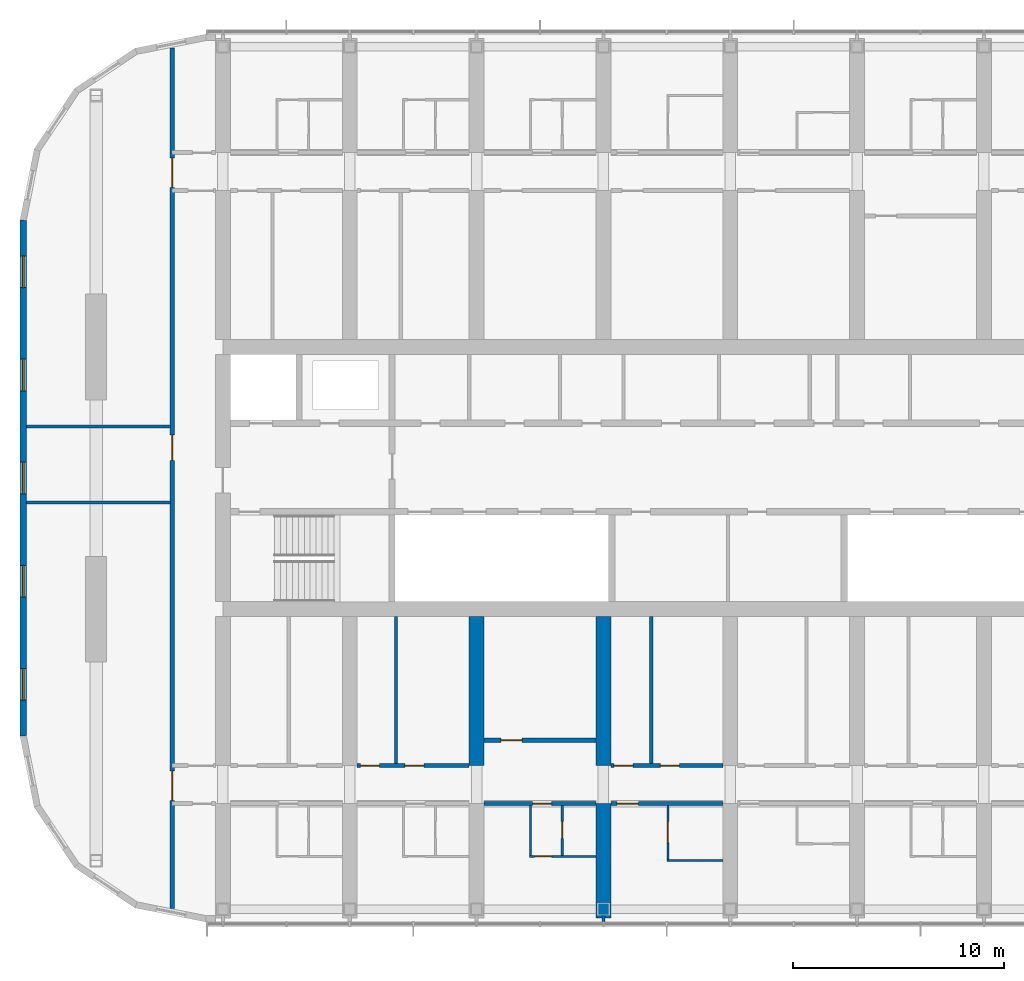
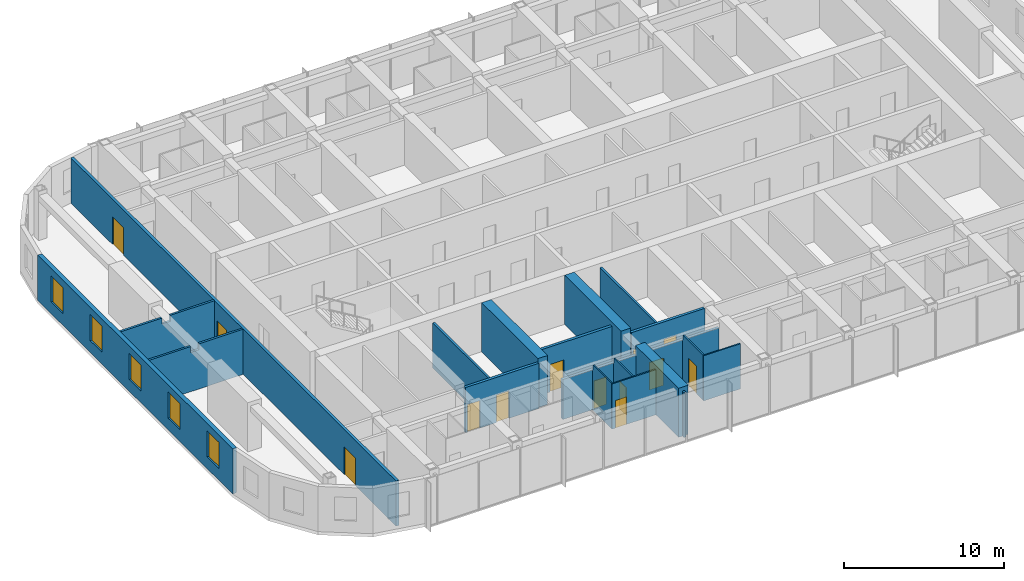
# One storey, part 11 of 23: 20 walls, 13 doors, 5 windows, 18 openings.
"""IFC4 building model written with IfcOpenShell, lengths in metres."""

import ifcopenshell
import ifcopenshell.guid

model = None  # the IFC model being written
_history = None  # IfcOwnerHistory: only IFC2X3 demands one
_inside = {}  # id of a spatial element -> (the spatial element, [elements in it])
_under = {}  # id of a project, library or spatial element -> (it, [spatial elements below it])
_declared = {}  # id of a project -> (the project, [libraries it declares])
_typed = {}  # id of a type object -> (the type object, [elements of that type])
_made_of = {}  # id of a material, layer set ... -> (it, [elements and type objects made of it])


def new_model(schema):
    """Start an empty IFC model of exactly this schema.

    Asked for "IFC4X3", IfcOpenShell would pick the latest addendum, in which some entities
    have other attributes; the version numbers below select the first issue.
    IFC2X3 requires an IfcOwnerHistory on every rooted entity: one is made here for all.
    """
    global model, _history
    if schema == "IFC4X3":
        model = ifcopenshell.file(schema_version=(4, 3, 0, 0))
    else:
        model = ifcopenshell.file(schema=schema)
    _inside.clear()
    _under.clear()
    _declared.clear()
    _typed.clear()
    _made_of.clear()
    _history = None
    if model.schema == "IFC2X3":
        org = make("IfcOrganization", Name="unknown")
        user = make(
            "IfcPersonAndOrganization",
            ThePerson=make("IfcPerson", FamilyName="unknown"),
            TheOrganization=org,
        )
        app = make(
            "IfcApplication",
            ApplicationDeveloper=org,
            Version="unknown",
            ApplicationFullName="unknown",
            ApplicationIdentifier="unknown",
        )
        _history = make(
            "IfcOwnerHistory",
            OwningUser=user,
            OwningApplication=app,
            ChangeAction="ADDED",
            CreationDate=0,
        )
    return model


def make(cls, **values):
    """One entity of the class cls with the attributes given. An attribute that is None is left unset."""
    return model.create_entity(
        cls, **{name: value for name, value in values.items() if value is not None}
    )


def rooted(cls, **values):
    """An entity with a GlobalId (a new one), such as an element, a storey or a relation."""
    return make(cls, GlobalId=ifcopenshell.guid.new(), OwnerHistory=_history, **values)


def si_unit(unit_type, name, prefix=None):
    """IfcSIUnit, for example si_unit("LENGTHUNIT", "METRE", prefix="MILLI")."""
    return make("IfcSIUnit", UnitType=unit_type, Prefix=prefix, Name=name)


def assignment(units):
    """IfcUnitAssignment: the units of a project."""
    return None if units is None else make("IfcUnitAssignment", Units=units)


def point(xyz):
    """IfcCartesianPoint."""
    return None if xyz is None else make("IfcCartesianPoint", Coordinates=xyz)


def direction(xyz):
    """IfcDirection."""
    return None if xyz is None else make("IfcDirection", DirectionRatios=xyz)


def frame(location, z_axis=None, x_axis=None):
    """IfcAxis2Placement3D, a coordinate frame: its origin and axes. An axis left out is left unset."""
    return make(
        "IfcAxis2Placement3D",
        Location=point(location),
        Axis=direction(z_axis),
        RefDirection=direction(x_axis),
    )


def frame_2d(location, x_axis=None):
    """IfcAxis2Placement2D, a coordinate frame in the plane: its origin and x axis."""
    return make(
        "IfcAxis2Placement2D", Location=point(location), RefDirection=direction(x_axis)
    )


def origin():
    """The frame at (0, 0, 0) with its axes left unset."""
    return frame((0.0, 0.0, 0.0))


def place(relative_to, where):
    """IfcLocalPlacement: puts the frame where relative to a parent placement (None: the world)."""
    return make(
        "IfcLocalPlacement", PlacementRelTo=relative_to, RelativePlacement=where
    )


def context(
    kind, dimensions, precision=None, world=None, true_north=None, identifier=None
):
    """IfcGeometricRepresentationContext, for example the 3D "Model" context."""
    return make(
        "IfcGeometricRepresentationContext",
        ContextIdentifier=identifier,
        ContextType=kind,
        CoordinateSpaceDimension=dimensions,
        Precision=precision,
        WorldCoordinateSystem=world,
        TrueNorth=true_north,
    )


def subcontext(parent, identifier, kind, view, scale=None):
    """IfcGeometricRepresentationSubContext, for example "Body" below "Model"."""
    return make(
        "IfcGeometricRepresentationSubContext",
        ContextIdentifier=identifier,
        ContextType=kind,
        ParentContext=parent,
        TargetScale=scale,
        TargetView=view,
    )


def project(units=None, contexts=None):
    """IfcProject with its units and contexts."""
    return rooted(
        "IfcProject",
        Name="project",
        RepresentationContexts=contexts,
        UnitsInContext=assignment(units),
    )


def spatial(cls, under=None, at=None, **own):
    """A site, building, storey or space (cls), placed at a placement, below another one or the project."""
    s = rooted(cls, ObjectPlacement=at, **own)
    if under is not None:
        _under.setdefault(under.id(), (under, []))[1].append(s)
    return s


def polyline(points):
    """IfcPolyline through the points."""
    return make("IfcPolyline", Points=[point(p) for p in points])


def profile(cls, at=None, kind="AREA", **sizes):
    """A parametric profile (cls). Its sizes go by their IFC names, for example OverallWidth=200.0."""
    return make(cls, ProfileType=kind, Position=at, **sizes)


def rectangle(**sizes):
    """IfcRectangleProfileDef."""
    return profile("IfcRectangleProfileDef", **sizes)


def outline(outer, holes=None, kind="AREA"):
    """IfcArbitraryClosedProfileDef: a profile drawn as a closed curve; with holes, ...WithVoids."""
    if holes is None:
        return make("IfcArbitraryClosedProfileDef", ProfileType=kind, OuterCurve=outer)
    return make(
        "IfcArbitraryProfileDefWithVoids",
        ProfileType=kind,
        OuterCurve=outer,
        InnerCurves=holes,
    )


def extrude(swept, where, along, depth):
    """IfcExtrudedAreaSolid: the profile swept, set in the frame where, extruded along a direction by depth."""
    return make(
        "IfcExtrudedAreaSolid",
        SweptArea=swept,
        Position=where,
        ExtrudedDirection=direction(along),
        Depth=depth,
    )


def shape(context_of_items, identifier, shape_type, items):
    """IfcShapeRepresentation: the items that make up one representation, for example the "Body"."""
    return make(
        "IfcShapeRepresentation",
        ContextOfItems=context_of_items,
        RepresentationIdentifier=identifier,
        RepresentationType=shape_type,
        Items=items,
    )


def material(Name=None, Category=None):
    """IfcMaterial."""
    return make("IfcMaterial", Name=Name, Category=Category)


def layer(
    of_material, thickness, ventilated=None, Name=None, Category=None, Priority=None
):
    """IfcMaterialLayer: one layer of a wall or slab, of a material (None: an air gap)."""
    return make(
        "IfcMaterialLayer",
        Material=of_material,
        LayerThickness=thickness,
        IsVentilated=ventilated,
        Name=Name,
        Category=Category,
        Priority=Priority,
    )


def layer_set(layers, Name=None):
    """IfcMaterialLayerSet."""
    return make("IfcMaterialLayerSet", MaterialLayers=layers, LayerSetName=Name)


def made_of(thing, what):
    """Note that an element or type object is made of a material, layer set ...; save() writes the relation."""
    if what is not None:
        _made_of.setdefault(what.id(), (what, []))[1].append(thing)
    return thing


def type_object(cls, material=None, **own):
    """A type object (cls), such as IfcWallType, which elements share."""
    return made_of(rooted(cls, **own), material)


def element(
    cls,
    number,
    at=None,
    inside=None,
    cuts=None,
    type_object=None,
    material=None,
    context=None,
    identifier="Body",
    shape_type=None,
    held_by="IfcProductDefinitionShape",
    body=None,
    shapes=None,
    **own,
):
    """One element of the class cls, such as IfcWall. Its Tag is "e" and its number.

    at: its placement. inside: the storey or other place that contains it. cuts: it is an
    opening in that element (IfcRelVoidsElement). A single representation is given by context,
    identifier, shape_type and body (its items); several are given by shapes. held_by: the class
    of the entity that holds the representations. save() writes the other relations.
    """
    e = rooted(cls, Tag="e%d" % number, ObjectPlacement=at, **own)
    if body is not None:
        shapes = [shape(context, identifier, shape_type, body)]
    if shapes is not None:
        e.Representation = make(held_by, Representations=shapes)
    if inside is not None:
        _inside.setdefault(inside.id(), (inside, []))[1].append(e)
    if cuts is not None:
        rooted(
            "IfcRelVoidsElement", RelatingBuildingElement=cuts, RelatedOpeningElement=e
        )
    if type_object is not None:
        _typed.setdefault(type_object.id(), (type_object, []))[1].append(e)
    return made_of(e, material)


def fill(opening, filler):
    """IfcRelFillsElement: the door or window that sits in an opening."""
    return rooted(
        "IfcRelFillsElement",
        RelatingOpeningElement=opening,
        RelatedBuildingElement=filler,
    )


def aggregate(whole, parts):
    """IfcRelAggregates: a whole, such as a stair, and the parts it consists of."""
    return rooted("IfcRelAggregates", RelatingObject=whole, RelatedObjects=parts)


def save(model, path):
    """Write the relations noted so far, then the file.

    IfcRelAggregates (storeys below a building ...), IfcRelContainedInSpatialStructure (elements
    in a storey), IfcRelDefinesByType, IfcRelAssociatesMaterial and IfcRelDeclares: one each for
    every whole, place, type object, material and project.
    """
    for whole, parts in _under.values():
        aggregate(whole, parts)
    for where, things in _inside.values():
        rooted(
            "IfcRelContainedInSpatialStructure",
            RelatedElements=things,
            RelatingStructure=where,
        )
    for kind, things in _typed.values():
        rooted("IfcRelDefinesByType", RelatedObjects=things, RelatingType=kind)
    for what, things in _made_of.values():
        rooted("IfcRelAssociatesMaterial", RelatedObjects=things, RelatingMaterial=what)
    for by, libraries in _declared.values():
        rooted("IfcRelDeclares", RelatingContext=by, RelatedDefinitions=libraries)
    model.write(path)


model = new_model("IFC4")

# Units and contexts
model_context = context("Model", 3, precision=1e-05, world=origin(), true_north=direction((0.0, 1.0)))
body_context = subcontext(model_context, "Body", "Model", "MODEL_VIEW")
ifc_project = project(units=[si_unit("LENGTHUNIT", "METRE"), si_unit("AREAUNIT", "SQUARE_METRE"), si_unit("VOLUMEUNIT", "CUBIC_METRE"), si_unit("PLANEANGLEUNIT", "RADIAN"), si_unit("MASSUNIT", "GRAM", prefix="KILO")], contexts=[model_context])

# Site, building, storey
site_placement = place(None, origin())
site = spatial("IfcSite", under=ifc_project, at=site_placement, CompositionType="ELEMENT")
building_placement = place(site_placement, origin())
building = spatial("IfcBuilding", under=site, at=building_placement, Name="Orbita Commons", CompositionType="ELEMENT")
storey_placement = place(building_placement, frame((0.0, 0.0, 254.050048828125)))
storey = spatial("IfcBuildingStorey", under=building, at=storey_placement, Name="L63", CompositionType="ELEMENT", Elevation=254.050048828125)

# Wall, opening, door
ifc_material_1 = material(Name="Concrete blockwork", Category="masonry")
ifc_layer_1 = layer(ifc_material_1, 0.199951171875)
ifc_layer_set_1 = layer_set([ifc_layer_1], Name="Concrete blockwork")
wall_type_1 = type_object("IfcWallType", Name="Corridor wall 200 blockwork", PredefinedType="SOLIDWALL", material=ifc_layer_set_1)
wall_1_placement = place(storey_placement, frame((30.35009765625, 16.60009765625, 0.0), z_axis=(0.0, 0.0, 1.0), x_axis=(1.0, 0.0, 0.0)))
wall_1 = element("IfcWall", 1, at=wall_1_placement, inside=storey, type_object=wall_type_1, Name="Corridor wall 200 blockwork L63", PredefinedType="SOLIDWALL", context=body_context, shape_type="SweptSolid", body=[
    extrude(outline(polyline([(0.0, 0.0), (5.2998046875, 0.0), (5.300048828125, 3.050048828125), (0.0, 3.050048828125), (0.0, 0.0)])), frame((0.0, 0.10009765625, 0.0), z_axis=(0.0, -1.0, 0.0), x_axis=(1.0, 0.0, 0.0)), (0.0, 0.0, 1.0), 0.199951171875),
])
opening_1_placement = place(wall_1_placement, frame((2.300048828125, 0.0, 0.0)))
opening_1 = element("IfcOpeningElement", 2, at=opening_1_placement, cuts=wall_1, Name="Opening D11", PredefinedType="OPENING", context=body_context, shape_type="SweptSolid", body=[
    extrude(rectangle(XDim=0.89990234375, YDim=2.10009765625, at=frame_2d((0.449951171875, 1.050048828125))), frame((0.0, 0.10986328125, 0.0), z_axis=(0.0, -1.0, 0.0), x_axis=(1.0, 0.0, 0.0)), (0.0, 0.0, 1.0), 0.219970703125),
])
ifc_material_2 = material(Name="Steel-faced fire door leaf", Category="steel")
door_type_1 = type_object("IfcDoorType", Name="Corridor door 20 min 900x2100", OperationType="SINGLE_SWING_LEFT", PredefinedType="DOOR", material=ifc_material_2)
door_1_placement = place(opening_1_placement, origin())
door_1 = element("IfcDoor", 3, at=door_1_placement, inside=storey, type_object=door_type_1, Name="Studio flat L63-S04 entrance door", OperationType="SINGLE_SWING_LEFT", OverallHeight=2.10009765625, OverallWidth=0.89990234375, PredefinedType="DOOR", context=body_context, shape_type="SweptSolid", body=[
    extrude(rectangle(XDim=0.89990234375, YDim=2.10009765625, at=frame_2d((0.449951171875, 1.050048828125))), frame((0.0, 0.02490234375, 0.0), z_axis=(0.0, -1.0, 0.0), x_axis=(1.0, 0.0, 0.0)), (0.0, 0.0, 1.0), 0.050048828125),
])
fill(opening_1, door_1)

wall_2_placement = place(storey_placement, frame((36.35009765625, 16.60009765625, 0.0), z_axis=(0.0, 0.0, 1.0), x_axis=(1.0, 0.0, 0.0)))
wall_2 = element("IfcWall", 4, at=wall_2_placement, inside=storey, type_object=wall_type_1, Name="Corridor wall 200 blockwork L63", PredefinedType="SOLIDWALL", context=body_context, shape_type="SweptSolid", body=[
    extrude(outline(polyline([(0.0, 0.0), (5.2998046875, 0.0), (5.300048828125, 3.050048828125), (0.0, 3.050048828125), (0.0, 0.0)])), frame((0.0, 0.10009765625, 0.0), z_axis=(0.0, -1.0, 0.0), x_axis=(1.0, 0.0, 0.0)), (0.0, 0.0, 1.0), 0.199951171875),
])
opening_2_placement = place(wall_2_placement, frame((0.300048828125, 0.0, 0.0)))
opening_2 = element("IfcOpeningElement", 5, at=opening_2_placement, cuts=wall_2, Name="Opening D06", PredefinedType="OPENING", context=body_context, shape_type="SweptSolid", body=[
    extrude(rectangle(XDim=1.0, YDim=2.10009765625, at=frame_2d((0.5, 1.050048828125))), frame((0.0, 0.10986328125, 0.0), z_axis=(0.0, -1.0, 0.0), x_axis=(1.0, 0.0, 0.0)), (0.0, 0.0, 1.0), 0.219970703125),
])
ifc_material_3 = material(Name="Steel-faced fire door leaf", Category="steel")
door_type_2 = type_object("IfcDoorType", Name="Corridor door 20 min 1000x2100", OperationType="SINGLE_SWING_LEFT", PredefinedType="DOOR", material=ifc_material_3)
door_2_placement = place(opening_2_placement, origin())
door_2 = element("IfcDoor", 6, at=door_2_placement, inside=storey, type_object=door_type_2, Name="Accessible bedroom L63-S06 door", OperationType="SINGLE_SWING_LEFT", OverallHeight=2.10009765625, OverallWidth=1.0, PredefinedType="DOOR", context=body_context, shape_type="SweptSolid", body=[
    extrude(rectangle(XDim=1.0, YDim=2.10009765625, at=frame_2d((0.5, 1.050048828125))), frame((0.0, 0.02490234375, 0.0), z_axis=(0.0, -1.0, 0.0), x_axis=(1.0, 0.0, 0.0)), (0.0, 0.0, 1.0), 0.050048828125),
])
fill(opening_2, door_2)

# Wall, openings, doors
wall_3_placement = place(storey_placement, frame((15.60009765625, 11.646240234375, 0.0), z_axis=(0.0, 0.0, 1.0), x_axis=(0.0, 1.0, 0.0)))
wall_3 = element("IfcWall", 7, at=wall_3_placement, inside=storey, type_object=wall_type_1, Name="Corridor wall 200 blockwork L63", PredefinedType="SOLIDWALL", context=body_context, shape_type="SweptSolid", body=[
    extrude(rectangle(XDim=40.70751953125, YDim=0.199951171875, at=frame_2d((20.353759765625, 0.0))), origin(), (0.0, 0.0, 1.0), 3.449951171875),
])
opening_3_placement = place(wall_3_placement, frame((21.19384765625, 0.0, 0.0)))
opening_3 = element("IfcOpeningElement", 8, at=opening_3_placement, cuts=wall_3, Name="Opening D15", PredefinedType="OPENING", context=body_context, shape_type="SweptSolid", body=[
    extrude(rectangle(XDim=1.199951171875, YDim=2.10009765625, at=frame_2d((0.60009765625, 1.050048828125))), frame((0.0, 0.10986328125, 0.0), z_axis=(0.0, -1.0, 0.0), x_axis=(1.0, 0.0, 0.0)), (0.0, 0.0, 1.0), 0.219970703125),
])
opening_4_placement = place(wall_3_placement, frame((5.103759765625, 0.0, 0.0)))
opening_4 = element("IfcOpeningElement", 9, at=opening_4_placement, cuts=wall_3, Name="Opening D08", PredefinedType="OPENING", context=body_context, shape_type="SweptSolid", body=[
    extrude(rectangle(XDim=1.39990234375, YDim=2.10009765625, at=frame_2d((0.699951171875, 1.050048828125))), frame((0.0, 0.10986328125, 0.0), z_axis=(0.0, -1.0, 0.0), x_axis=(1.0, 0.0, 0.0)), (0.0, 0.0, 1.0), 0.219970703125),
])
opening_5_placement = place(wall_3_placement, frame((34.103759765625, 0.0, 0.0)))
opening_5 = element("IfcOpeningElement", 10, at=opening_5_placement, cuts=wall_3, Name="Opening D08", PredefinedType="OPENING", context=body_context, shape_type="SweptSolid", body=[
    extrude(rectangle(XDim=1.39990234375, YDim=2.10009765625, at=frame_2d((0.699951171875, 1.050048828125))), frame((0.0, 0.10986328125, 0.0), z_axis=(0.0, -1.0, 0.0), x_axis=(1.0, 0.0, 0.0)), (0.0, 0.0, 1.0), 0.219970703125),
])
ifc_material_4 = material(Name="Steel-faced fire door leaf", Category="steel")
door_type_3 = type_object("IfcDoorType", Name="Corridor door 20 min 1200x2100", OperationType="SINGLE_SWING_LEFT", PredefinedType="DOOR", material=ifc_material_4)
door_3_placement = place(opening_3_placement, origin())
door_3 = element("IfcDoor", 11, at=door_3_placement, inside=storey, type_object=door_type_3, Name="Study commons door", OperationType="SINGLE_SWING_LEFT", OverallHeight=2.10009765625, OverallWidth=1.199951171875, PredefinedType="DOOR", context=body_context, shape_type="SweptSolid", body=[
    extrude(rectangle(XDim=1.199951171875, YDim=2.10009765625, at=frame_2d((0.60009765625, 1.050048828125))), frame((0.0, 0.02490234375, 0.0), z_axis=(0.0, -1.0, 0.0), x_axis=(1.0, 0.0, 0.0)), (0.0, 0.0, 1.0), 0.050048828125),
])
fill(opening_3, door_3)
ifc_material_5 = material(Name="Steel-faced fire door leaf", Category="steel")
door_type_4 = type_object("IfcDoorType", Name="Double corridor door 20 min 1400x2100", OperationType="DOUBLE_DOOR_SINGLE_SWING", PredefinedType="DOOR", material=ifc_material_5)
door_4_placement = place(opening_4_placement, origin())
door_4 = element("IfcDoor", 12, at=door_4_placement, inside=storey, type_object=door_type_4, Name="Lounge doors", OperationType="DOUBLE_DOOR_SINGLE_SWING", OverallHeight=2.10009765625, OverallWidth=1.39990234375, PredefinedType="DOOR", context=body_context, shape_type="SweptSolid", body=[
    extrude(rectangle(XDim=1.39990234375, YDim=2.10009765625, at=frame_2d((0.699951171875, 1.050048828125))), frame((0.0, 0.02490234375, 0.0), z_axis=(0.0, -1.0, 0.0), x_axis=(1.0, 0.0, 0.0)), (0.0, 0.0, 1.0), 0.050048828125),
])
fill(opening_4, door_4)
door_5_placement = place(opening_5_placement, origin())
door_5 = element("IfcDoor", 13, at=door_5_placement, inside=storey, type_object=door_type_4, Name="Lounge doors", OperationType="DOUBLE_DOOR_SINGLE_SWING", OverallHeight=2.10009765625, OverallWidth=1.39990234375, PredefinedType="DOOR", context=body_context, shape_type="SweptSolid", body=[
    extrude(rectangle(XDim=1.39990234375, YDim=2.10009765625, at=frame_2d((0.699951171875, 1.050048828125))), frame((0.0, 0.02490234375, 0.0), z_axis=(0.0, -1.0, 0.0), x_axis=(1.0, 0.0, 0.0)), (0.0, 0.0, 1.0), 0.050048828125),
])
fill(opening_5, door_5)

ifc_material_6 = material(Name="Hollow concrete block 200", Category="concrete")
ifc_layer_2 = layer(ifc_material_6, 0.199951171875)
ifc_layer_set_2 = layer_set([ifc_layer_2], Name="Hollow concrete block 200")
wall_type_2 = type_object("IfcWallType", Name="Corridor wall 200 hollow concrete block", PredefinedType="SOLIDWALL", material=ifc_layer_set_2)
wall_4_placement = place(storey_placement, frame((24.35009765625, 18.39990234375, 0.0), z_axis=(0.0, 0.0, 1.0), x_axis=(1.0, 0.0, 0.0)))
wall_4 = element("IfcWall", 14, at=wall_4_placement, inside=storey, type_object=wall_type_2, Name="Corridor wall 200 hollow concrete block L63", PredefinedType="SOLIDWALL", context=body_context, shape_type="SweptSolid", body=[
    extrude(rectangle(XDim=5.2998046875, YDim=0.199951171875, at=frame_2d((2.64990234375, 0.0))), origin(), (0.0, 0.0, 1.0), 3.449951171875),
])
opening_6_placement = place(wall_4_placement, frame((0.14990234375, 0.0, 0.0)))
opening_6 = element("IfcOpeningElement", 15, at=opening_6_placement, cuts=wall_4, Name="Opening D11", PredefinedType="OPENING", context=body_context, shape_type="SweptSolid", body=[
    extrude(rectangle(XDim=0.89990234375, YDim=2.10009765625, at=frame_2d((0.449951171875, 1.050048828125))), frame((0.0, 0.10986328125, 0.0), z_axis=(0.0, -1.0, 0.0), x_axis=(1.0, 0.0, 0.0)), (0.0, 0.0, 1.0), 0.219970703125),
])
opening_7_placement = place(wall_4_placement, frame((2.260009765625, 0.0, 0.0)))
opening_7 = element("IfcOpeningElement", 16, at=opening_7_placement, cuts=wall_4, Name="Opening D11", PredefinedType="OPENING", context=body_context, shape_type="SweptSolid", body=[
    extrude(rectangle(XDim=0.89990234375, YDim=2.10009765625, at=frame_2d((0.449951171875, 1.050048828125))), frame((0.0, 0.10986328125, 0.0), z_axis=(0.0, -1.0, 0.0), x_axis=(1.0, 0.0, 0.0)), (0.0, 0.0, 1.0), 0.219970703125),
])
door_6_placement = place(opening_6_placement, origin())
door_6 = element("IfcDoor", 17, at=door_6_placement, inside=storey, type_object=door_type_1, Name="Luggage store L63-BDS24n door", OperationType="SINGLE_SWING_LEFT", OverallHeight=2.10009765625, OverallWidth=0.89990234375, PredefinedType="DOOR", context=body_context, shape_type="SweptSolid", body=[
    extrude(rectangle(XDim=0.89990234375, YDim=2.10009765625, at=frame_2d((0.449951171875, 1.050048828125))), frame((0.0, 0.02490234375, 0.0), z_axis=(0.0, -1.0, 0.0), x_axis=(1.0, 0.0, 0.0)), (0.0, 0.0, 1.0), 0.050048828125),
])
fill(opening_6, door_6)
door_7_placement = place(opening_7_placement, origin())
door_7 = element("IfcDoor", 18, at=door_7_placement, inside=storey, type_object=door_type_1, Name="Board room L63-BDS24 door", OperationType="SINGLE_SWING_LEFT", OverallHeight=2.10009765625, OverallWidth=0.89990234375, PredefinedType="DOOR", context=body_context, shape_type="SweptSolid", body=[
    extrude(rectangle(XDim=0.89990234375, YDim=2.10009765625, at=frame_2d((0.449951171875, 1.050048828125))), frame((0.0, 0.02490234375, 0.0), z_axis=(0.0, -1.0, 0.0), x_axis=(1.0, 0.0, 0.0)), (0.0, 0.0, 1.0), 0.050048828125),
])
fill(opening_7, door_7)

wall_5_placement = place(storey_placement, frame((36.35009765625, 18.39990234375, 0.0), z_axis=(0.0, 0.0, 1.0), x_axis=(1.0, 0.0, 0.0)))
wall_5 = element("IfcWall", 19, at=wall_5_placement, inside=storey, type_object=wall_type_2, Name="Corridor wall 200 hollow concrete block L63", PredefinedType="SOLIDWALL", context=body_context, shape_type="SweptSolid", body=[
    extrude(rectangle(XDim=5.2998046875, YDim=0.199951171875, at=frame_2d((2.64990234375, 0.0))), origin(), (0.0, 0.0, 1.0), 3.449951171875),
])
opening_8_placement = place(wall_5_placement, frame((0.14990234375, 0.0, 0.0)))
opening_8 = element("IfcOpeningElement", 20, at=opening_8_placement, cuts=wall_5, Name="Opening D11", PredefinedType="OPENING", context=body_context, shape_type="SweptSolid", body=[
    extrude(rectangle(XDim=0.89990234375, YDim=2.10009765625, at=frame_2d((0.449951171875, 1.050048828125))), frame((0.0, 0.10986328125, 0.0), z_axis=(0.0, -1.0, 0.0), x_axis=(1.0, 0.0, 0.0)), (0.0, 0.0, 1.0), 0.219970703125),
])
opening_9_placement = place(wall_5_placement, frame((2.340087890625, 0.0, 0.0)))
opening_9 = element("IfcOpeningElement", 21, at=opening_9_placement, cuts=wall_5, Name="Opening D11", PredefinedType="OPENING", context=body_context, shape_type="SweptSolid", body=[
    extrude(rectangle(XDim=0.89990234375, YDim=2.10009765625, at=frame_2d((0.449951171875, 1.050048828125))), frame((0.0, 0.10986328125, 0.0), z_axis=(0.0, -1.0, 0.0), x_axis=(1.0, 0.0, 0.0)), (0.0, 0.0, 1.0), 0.219970703125),
])
door_8_placement = place(opening_8_placement, origin())
door_8 = element("IfcDoor", 22, at=door_8_placement, inside=storey, type_object=door_type_1, Name="Battery and UPS room L63-BDS36n door", OperationType="SINGLE_SWING_LEFT", OverallHeight=2.10009765625, OverallWidth=0.89990234375, PredefinedType="DOOR", context=body_context, shape_type="SweptSolid", body=[
    extrude(rectangle(XDim=0.89990234375, YDim=2.10009765625, at=frame_2d((0.449951171875, 1.050048828125))), frame((0.0, 0.02490234375, 0.0), z_axis=(0.0, -1.0, 0.0), x_axis=(1.0, 0.0, 0.0)), (0.0, 0.0, 1.0), 0.050048828125),
])
fill(opening_8, door_8)
door_9_placement = place(opening_9_placement, origin())
door_9 = element("IfcDoor", 23, at=door_9_placement, inside=storey, type_object=door_type_1, Name="Interview room L63-BDS36 door", OperationType="SINGLE_SWING_LEFT", OverallHeight=2.10009765625, OverallWidth=0.89990234375, PredefinedType="DOOR", context=body_context, shape_type="SweptSolid", body=[
    extrude(rectangle(XDim=0.89990234375, YDim=2.10009765625, at=frame_2d((0.449951171875, 1.050048828125))), frame((0.0, 0.02490234375, 0.0), z_axis=(0.0, -1.0, 0.0), x_axis=(1.0, 0.0, 0.0)), (0.0, 0.0, 1.0), 0.050048828125),
])
fill(opening_9, door_9)

# Wall, opening, door
wall_6_placement = place(storey_placement, frame((30.35009765625, 19.60009765625, 0.0), z_axis=(0.0, 0.0, 1.0), x_axis=(1.0, 0.0, 0.0)))
wall_6 = element("IfcWall", 24, at=wall_6_placement, inside=storey, type_object=wall_type_2, Name="Corridor wall 200 hollow concrete block L63", PredefinedType="SOLIDWALL", context=body_context, shape_type="SweptSolid", body=[
    extrude(rectangle(XDim=5.2998046875, YDim=0.199951171875, at=frame_2d((2.64990234375, 0.0))), origin(), (0.0, 0.0, 1.0), 3.449951171875),
])
opening_10_placement = place(wall_6_placement, frame((0.800048828125, 0.0, 0.0)))
opening_10 = element("IfcOpeningElement", 25, at=opening_10_placement, cuts=wall_6, Name="Opening D06", PredefinedType="OPENING", context=body_context, shape_type="SweptSolid", body=[
    extrude(rectangle(XDim=1.0, YDim=2.10009765625, at=frame_2d((0.5, 1.050048828125))), frame((0.0, 0.10986328125, 0.0), z_axis=(0.0, -1.0, 0.0), x_axis=(1.0, 0.0, 0.0)), (0.0, 0.0, 1.0), 0.219970703125),
])
door_10_placement = place(opening_10_placement, origin())
door_10 = element("IfcDoor", 26, at=door_10_placement, inside=storey, type_object=door_type_2, Name="Bulk storage room L63-BDS30 door", OperationType="SINGLE_SWING_LEFT", OverallHeight=2.10009765625, OverallWidth=1.0, PredefinedType="DOOR", context=body_context, shape_type="SweptSolid", body=[
    extrude(rectangle(XDim=1.0, YDim=2.10009765625, at=frame_2d((0.5, 1.050048828125))), frame((0.0, 0.02490234375, 0.0), z_axis=(0.0, -1.0, 0.0), x_axis=(1.0, 0.0, 0.0)), (0.0, 0.0, 1.0), 0.050048828125),
])
fill(opening_10, door_10)

# Walls
ifc_material_7 = material(Name="Concrete C50/60", Category="concrete")
ifc_layer_3 = layer(ifc_material_7, 0.699951171875)
ifc_layer_set_3 = layer_set([ifc_layer_3], Name="Concrete C50/60")
wall_type_3 = type_object("IfcWallType", Name="Cross wall 700 C50/60", PredefinedType="SHEAR", material=ifc_layer_set_3)
wall_7_placement = place(storey_placement, frame((30.0, 18.39990234375, 0.0), z_axis=(0.0, 0.0, 1.0), x_axis=(0.0, 1.0, 0.0)))
element("IfcWall", 27, at=wall_7_placement, inside=storey, type_object=wall_type_3, Name="Cross wall 6 south inner L63", PredefinedType="SHEAR", context=body_context, shape_type="SweptSolid", body=[
    extrude(rectangle(XDim=7.050048828125, YDim=0.699951171875, at=frame_2d((3.52490234375, 0.0))), origin(), (0.0, 0.0, 1.0), 3.75),
])
wall_8_placement = place(storey_placement, frame((36.0, 11.199951171875, 0.0), z_axis=(0.0, 0.0, 1.0), x_axis=(0.0, 1.0, 0.0)))
element("IfcWall", 28, at=wall_8_placement, inside=storey, type_object=wall_type_3, Name="Cross wall 7 south outer L63", PredefinedType="SHEAR", context=body_context, shape_type="SweptSolid", body=[
    extrude(rectangle(XDim=5.400146484375, YDim=0.699951171875, at=frame_2d((2.7001953125, 0.0))), origin(), (0.0, 0.0, 1.0), 3.75),
])
wall_9_placement = place(storey_placement, frame((36.0, 18.39990234375, 0.0), z_axis=(0.0, 0.0, 1.0), x_axis=(0.0, 1.0, 0.0)))
element("IfcWall", 29, at=wall_9_placement, inside=storey, type_object=wall_type_3, Name="Cross wall 7 south inner L63", PredefinedType="SHEAR", context=body_context, shape_type="SweptSolid", body=[
    extrude(rectangle(XDim=7.050048828125, YDim=0.699951171875, at=frame_2d((3.52490234375, 0.0))), origin(), (0.0, 0.0, 1.0), 3.75),
])

# Wall, opening, door
ifc_material_8 = material(Name="Moisture-resistant plasterboard on steel studs", Category="steel")
ifc_layer_4 = layer(ifc_material_8, 0.10009765625)
ifc_layer_set_4 = layer_set([ifc_layer_4], Name="Moisture-resistant plasterboard on steel studs")
wall_type_4 = type_object("IfcWallType", Name="En-suite partition 100", PredefinedType="PARTITIONING", material=ifc_layer_set_4)
wall_10_placement = place(storey_placement, frame((35.64990234375, 14.10009765625, 0.0), z_axis=(0.0, 0.0, 1.0), x_axis=(-1.0, 0.0, 0.0)))
wall_10 = element("IfcWall", 30, at=wall_10_placement, inside=storey, type_object=wall_type_4, Name="En-suite partition 100 L63", PredefinedType="PARTITIONING", context=body_context, shape_type="SweptSolid", body=[
    extrude(rectangle(XDim=3.14990234375, YDim=0.10009765625, at=frame_2d((1.574951171875, 0.0))), origin(), (0.0, 0.0, 1.0), 3.449951171875),
])
opening_11_placement = place(wall_10_placement, frame((2.10009765625, 0.0, 0.0)))
opening_11 = element("IfcOpeningElement", 31, at=opening_11_placement, cuts=wall_10, Name="Opening D16", PredefinedType="OPENING", context=body_context, shape_type="SweptSolid", body=[
    extrude(rectangle(XDim=0.800048828125, YDim=2.10009765625, at=frame_2d((0.39990234375, 1.050048828125))), frame((0.0, 0.06005859375, 0.0), z_axis=(0.0, -1.0, 0.0), x_axis=(1.0, 0.0, 0.0)), (0.0, 0.0, 1.0), 0.1201171875),
])
ifc_material_9 = material(Name="Laminated timber door leaf", Category="wood")
door_type_5 = type_object("IfcDoorType", Name="En-suite door 800x2100", OperationType="SINGLE_SWING_RIGHT", PredefinedType="DOOR", material=ifc_material_9)
door_11_placement = place(opening_11_placement, origin())
door_11 = element("IfcDoor", 32, at=door_11_placement, inside=storey, type_object=door_type_5, Name="Studio flat L63-S04 door", OperationType="SINGLE_SWING_RIGHT", OverallHeight=2.10009765625, OverallWidth=0.800048828125, PredefinedType="DOOR", context=body_context, shape_type="SweptSolid", body=[
    extrude(rectangle(XDim=0.800048828125, YDim=2.10009765625, at=frame_2d((0.39990234375, 1.050048828125))), frame((0.0, 0.02490234375, 0.0), z_axis=(0.0, -1.0, 0.0), x_axis=(1.0, 0.0, 0.0)), (0.0, 0.0, 1.0), 0.050048828125),
])
fill(opening_11, door_11)

# Wall
wall_11_placement = place(storey_placement, frame((32.550048828125, 14.14990234375, 0.0), z_axis=(0.0, 0.0, 1.0), x_axis=(0.0, 1.0, 0.0)))
element("IfcWall", 33, at=wall_11_placement, inside=storey, type_object=wall_type_4, Name="En-suite partition 100 L63", PredefinedType="PARTITIONING", context=body_context, shape_type="SweptSolid", body=[
    extrude(outline(polyline([(0.0, 0.0), (2.35009765625, 0.0), (2.35009765625, 3.050048828125), (2.302001953125, 3.050048828125), (2.300048828125, 3.449951171875), (0.0, 3.449951171875), (0.0, 0.0)])), frame((0.0, 0.050048828125, 0.0), z_axis=(0.0, -1.0, 0.0), x_axis=(1.0, 0.0, 0.0)), (0.0, 0.0, 1.0), 0.10009765625),
])

# Wall, opening, door
wall_12_placement = place(storey_placement, frame((34.050048828125, 14.14990234375, 0.0), z_axis=(0.0, 0.0, 1.0), x_axis=(0.0, 1.0, 0.0)))
wall_12 = element("IfcWall", 34, at=wall_12_placement, inside=storey, type_object=wall_type_4, Name="En-suite partition 100 L63", PredefinedType="PARTITIONING", context=body_context, shape_type="SweptSolid", body=[
    extrude(outline(polyline([(0.0, 0.0), (2.35009765625, 0.0), (2.35009765625, 3.050048828125), (2.302001953125, 3.050048828125), (2.300048828125, 3.449951171875), (0.0, 3.449951171875), (0.0, 0.0)])), frame((0.0, 0.050048828125, 0.0), z_axis=(0.0, -1.0, 0.0), x_axis=(1.0, 0.0, 0.0)), (0.0, 0.0, 1.0), 0.10009765625),
])
opening_12_placement = place(wall_12_placement, frame((0.800048828125, 0.0, 0.0)))
opening_12 = element("IfcOpeningElement", 35, at=opening_12_placement, cuts=wall_12, Name="Opening D16", PredefinedType="OPENING", context=body_context, shape_type="SweptSolid", body=[
    extrude(rectangle(XDim=0.800048828125, YDim=2.10009765625, at=frame_2d((0.39990234375, 1.050048828125))), frame((0.0, 0.06005859375, 0.0), z_axis=(0.0, -1.0, 0.0), x_axis=(1.0, 0.0, 0.0)), (0.0, 0.0, 1.0), 0.1201171875),
])
door_12_placement = place(opening_12_placement, origin())
door_12 = element("IfcDoor", 36, at=door_12_placement, inside=storey, type_object=door_type_5, Name="Studio flat shower room L63-S04 door", OperationType="SINGLE_SWING_RIGHT", OverallHeight=2.10009765625, OverallWidth=0.800048828125, PredefinedType="DOOR", context=body_context, shape_type="SweptSolid", body=[
    extrude(rectangle(XDim=0.800048828125, YDim=2.10009765625, at=frame_2d((0.39990234375, 1.050048828125))), frame((0.0, 0.02490234375, 0.0), z_axis=(0.0, -1.0, 0.0), x_axis=(1.0, 0.0, 0.0)), (0.0, 0.0, 1.0), 0.050048828125),
])
fill(opening_12, door_12)

# Wall
wall_13_placement = place(storey_placement, frame((39.0, 13.89990234375, 0.0), z_axis=(0.0, 0.0, 1.0), x_axis=(1.0, 0.0, 0.0)))
element("IfcWall", 37, at=wall_13_placement, inside=storey, type_object=wall_type_4, Name="En-suite partition 100 L63", PredefinedType="PARTITIONING", context=body_context, shape_type="SweptSolid", body=[
    extrude(rectangle(XDim=2.64990234375, YDim=0.10009765625, at=frame_2d((1.324951171875, 0.0))), origin(), (0.0, 0.0, 1.0), 3.449951171875),
])

# Wall, opening, door
wall_14_placement = place(storey_placement, frame((39.050048828125, 13.949951171875, 0.0), z_axis=(0.0, 0.0, 1.0), x_axis=(0.0, 1.0, 0.0)))
wall_14 = element("IfcWall", 38, at=wall_14_placement, inside=storey, type_object=wall_type_4, Name="En-suite partition 100 L63", PredefinedType="PARTITIONING", context=body_context, shape_type="SweptSolid", body=[
    extrude(outline(polyline([(0.0, 0.0), (2.550048828125, 0.0), (2.550048828125, 3.050048828125), (2.501953125, 3.050048828125), (2.5, 3.449951171875), (0.0, 3.449951171875), (0.0, 0.0)])), frame((0.0, 0.050048828125, 0.0), z_axis=(0.0, -1.0, 0.0), x_axis=(1.0, 0.0, 0.0)), (0.0, 0.0, 1.0), 0.10009765625),
])
opening_13_placement = place(wall_14_placement, frame((0.800048828125, 0.0, 0.0)))
opening_13 = element("IfcOpeningElement", 39, at=opening_13_placement, cuts=wall_14, Name="Opening D13", PredefinedType="OPENING", context=body_context, shape_type="SweptSolid", body=[
    extrude(rectangle(XDim=1.0, YDim=2.10009765625, at=frame_2d((0.5, 1.050048828125))), frame((0.0, 0.06005859375, 0.0), z_axis=(0.0, -1.0, 0.0), x_axis=(1.0, 0.0, 0.0)), (0.0, 0.0, 1.0), 0.1201171875),
])
ifc_material_10 = material(Name="Laminated timber door leaf", Category="wood")
door_type_6 = type_object("IfcDoorType", Name="En-suite door 1000x2100", OperationType="SINGLE_SWING_RIGHT", PredefinedType="DOOR", material=ifc_material_10)
door_13_placement = place(opening_13_placement, origin())
door_13 = element("IfcDoor", 40, at=door_13_placement, inside=storey, type_object=door_type_6, Name="Accessible shower room L63-S06 door", OperationType="SINGLE_SWING_RIGHT", OverallHeight=2.10009765625, OverallWidth=1.0, PredefinedType="DOOR", context=body_context, shape_type="SweptSolid", body=[
    extrude(rectangle(XDim=1.0, YDim=2.10009765625, at=frame_2d((0.5, 1.050048828125))), frame((0.0, 0.02490234375, 0.0), z_axis=(0.0, -1.0, 0.0), x_axis=(1.0, 0.0, 0.0)), (0.0, 0.0, 1.0), 0.050048828125),
])
fill(opening_13, door_13)

# Walls
ifc_material_11 = material(Name="Gypsum plasterboard on steel studs", Category="steel")
ifc_layer_5 = layer(ifc_material_11, 0.14990234375)
ifc_layer_set_5 = layer_set([ifc_layer_5], Name="Gypsum plasterboard on steel studs")
wall_type_5 = type_object("IfcWallType", Name="Partition 150 plasterboard", PredefinedType="PARTITIONING", material=ifc_layer_set_5)
for number, where, z_axis, x_axis, name in (
    (41, (26.18505859375, 18.5, 0.0), (0.0, 0.0, 1.0), (0.0, 1.0, 0.0), "Partition 150 plasterboard L63"),
    (42, (38.264892578125, 18.5, 0.0), (0.0, 0.0, 1.0), (0.0, 1.0, 0.0), "Partition 150 plasterboard L63"),
):
    element("IfcWall", number, at=place(storey_placement, frame(where, z_axis=z_axis, x_axis=x_axis)), inside=storey, type_object=wall_type_5, Name=name, PredefinedType="PARTITIONING", context=body_context, shape_type="SweptSolid", body=[
        extrude(rectangle(XDim=6.949951171875, YDim=0.14990234375, at=frame_2d((3.47509765625, 0.0))), origin(), (0.0, 0.0, 1.0), 3.449951171875),
    ])
for number, where, z_axis, x_axis, name in (
    (43, (8.705078125, 30.85009765625, 0.0), (0.0, 0.0, 1.0), (1.0, 0.0, 0.0), "Partition 150 plasterboard L63"),
    (44, (8.705078125, 34.43994140625, 0.0), (0.0, 0.0, 1.0), (1.0, 0.0, 0.0), "Partition 150 plasterboard L63"),
):
    element("IfcWall", number, at=place(storey_placement, frame(where, z_axis=z_axis, x_axis=x_axis)), inside=storey, type_object=wall_type_5, Name=name, PredefinedType="PARTITIONING", context=body_context, shape_type="SweptSolid", body=[
        extrude(outline(polyline([(0.0, 0.0), (6.81982421875, 0.0), (6.820068359375, 3.449951171875), (3.596923828125, 3.449951171875), (3.594970703125, 3.0), (2.9970703125, 3.0), (2.9951171875, 3.449951171875), (0.0, 3.449951171875), (0.0, 0.0)])), frame((0.0, 0.074951171875, 0.0), z_axis=(0.0, -1.0, 0.0), x_axis=(1.0, 0.0, 0.0)), (0.0, 0.0, 1.0), 0.14990234375),
    ])
wall_15_placement = place(storey_placement, frame((36.0, 11.300048828125, 0.0), z_axis=(0.0, 0.0, 1.0), x_axis=(0.0, -1.0, 0.0)))
element("IfcWall", 45, at=wall_15_placement, inside=storey, type_object=wall_type_5, Name="Partition 150 plasterboard L63", PredefinedType="PARTITIONING", context=body_context, shape_type="SweptSolid", body=[
    extrude(rectangle(XDim=0.2900390625, YDim=0.14990234375, at=frame_2d((0.14501953125, 0.0))), origin(), (0.0, 0.0, 1.0), 3.449951171875),
])

# Wall, openings, windows
ifc_material_12 = material(Name="Precast concrete C40/50, white board-marked finish", Category="concrete")
ifc_layer_6 = layer(ifc_material_12, 0.300048828125)
ifc_layer_set_6 = layer_set([ifc_layer_6], Name="Precast concrete C40/50, white board-marked finish")
wall_type_6 = type_object("IfcWallType", Name="Precast concrete end shield 300", PredefinedType="SOLIDWALL", material=ifc_layer_set_6)
wall_16_placement = place(storey_placement, frame((8.550048828125, 44.199951171875, 0.0), z_axis=(0.0, 0.0, 1.0), x_axis=(0.0, -1.0, 0.0)))
wall_16 = element("IfcWall", 46, at=wall_16_placement, inside=storey, type_object=wall_type_6, Name="End shield W L63", PredefinedType="SOLIDWALL", context=body_context, shape_type="SweptSolid", body=[
    extrude(outline(polyline([(-0.014892578125, -0.14990234375), (24.414794921875, -0.14990234375), (24.385009765625, 0.14990234375), (0.014892578125, 0.14990234375), (-0.014892578125, -0.14990234375)])), origin(), (0.0, 0.0, 1.0), 3.449951171875),
])
opening_14_placement = place(wall_16_placement, frame((1.68994140625, 0.0, 0.89990234375)))
opening_14 = element("IfcOpeningElement", 47, at=opening_14_placement, cuts=wall_16, Name="Opening W01", PredefinedType="OPENING", context=body_context, shape_type="SweptSolid", body=[
    extrude(rectangle(XDim=1.5, YDim=2.0, at=frame_2d((0.75, 1.0))), frame((0.0, 0.159912109375, 0.0), z_axis=(0.0, -1.0, 0.0), x_axis=(1.0, 0.0, 0.0)), (0.0, 0.0, 1.0), 0.320068359375),
])
opening_15_placement = place(wall_16_placement, frame((6.570068359375, 0.0, 0.89990234375)))
opening_15 = element("IfcOpeningElement", 48, at=opening_15_placement, cuts=wall_16, Name="Opening W01", PredefinedType="OPENING", context=body_context, shape_type="SweptSolid", body=[
    extrude(rectangle(XDim=1.5, YDim=2.0, at=frame_2d((0.75, 1.0))), frame((0.0, 0.159912109375, 0.0), z_axis=(0.0, -1.0, 0.0), x_axis=(1.0, 0.0, 0.0)), (0.0, 0.0, 1.0), 0.320068359375),
])
opening_16_placement = place(wall_16_placement, frame((11.449951171875, 0.0, 0.89990234375)))
opening_16 = element("IfcOpeningElement", 49, at=opening_16_placement, cuts=wall_16, Name="Opening W01", PredefinedType="OPENING", context=body_context, shape_type="SweptSolid", body=[
    extrude(rectangle(XDim=1.5, YDim=2.0, at=frame_2d((0.75, 1.0))), frame((0.0, 0.159912109375, 0.0), z_axis=(0.0, -1.0, 0.0), x_axis=(1.0, 0.0, 0.0)), (0.0, 0.0, 1.0), 0.320068359375),
])
opening_17_placement = place(wall_16_placement, frame((16.330078125, 0.0, 0.89990234375)))
opening_17 = element("IfcOpeningElement", 50, at=opening_17_placement, cuts=wall_16, Name="Opening W01", PredefinedType="OPENING", context=body_context, shape_type="SweptSolid", body=[
    extrude(rectangle(XDim=1.5, YDim=2.0, at=frame_2d((0.75, 1.0))), frame((0.0, 0.159912109375, 0.0), z_axis=(0.0, -1.0, 0.0), x_axis=(1.0, 0.0, 0.0)), (0.0, 0.0, 1.0), 0.320068359375),
])
opening_18_placement = place(wall_16_placement, frame((21.2099609375, 0.0, 0.89990234375)))
opening_18 = element("IfcOpeningElement", 51, at=opening_18_placement, cuts=wall_16, Name="Opening W01", PredefinedType="OPENING", context=body_context, shape_type="SweptSolid", body=[
    extrude(rectangle(XDim=1.5, YDim=2.0, at=frame_2d((0.75, 1.0))), frame((0.0, 0.159912109375, 0.0), z_axis=(0.0, -1.0, 0.0), x_axis=(1.0, 0.0, 0.0)), (0.0, 0.0, 1.0), 0.320068359375),
])
ifc_material_13 = material(Name="Aluminium frame, clear double glazing", Category="aluminium")
window_type = type_object("IfcWindowType", Name="Deep-set window 1500x2000", PartitioningType="SINGLE_PANEL", PredefinedType="WINDOW", material=ifc_material_13)
window_1_placement = place(opening_14_placement, origin())
window_1 = element("IfcWindow", 52, at=window_1_placement, inside=storey, type_object=window_type, Name="Window L63-W 1", OverallHeight=2.0, OverallWidth=1.5, PartitioningType="SINGLE_PANEL", PredefinedType="WINDOW", context=body_context, shape_type="SweptSolid", body=[
    extrude(rectangle(XDim=1.5, YDim=2.0, at=frame_2d((0.75, 1.0))), frame((0.0, 0.030029296875, 0.0), z_axis=(0.0, -1.0, 0.0), x_axis=(1.0, 0.0, 0.0)), (0.0, 0.0, 1.0), 0.06005859375),
])
fill(opening_14, window_1)
window_2_placement = place(opening_15_placement, origin())
window_2 = element("IfcWindow", 53, at=window_2_placement, inside=storey, type_object=window_type, Name="Window L63-W 2", OverallHeight=2.0, OverallWidth=1.5, PartitioningType="SINGLE_PANEL", PredefinedType="WINDOW", context=body_context, shape_type="SweptSolid", body=[
    extrude(rectangle(XDim=1.5, YDim=2.0, at=frame_2d((0.75, 1.0))), frame((0.0, 0.030029296875, 0.0), z_axis=(0.0, -1.0, 0.0), x_axis=(1.0, 0.0, 0.0)), (0.0, 0.0, 1.0), 0.06005859375),
])
fill(opening_15, window_2)
window_3_placement = place(opening_16_placement, origin())
window_3 = element("IfcWindow", 54, at=window_3_placement, inside=storey, type_object=window_type, Name="Window L63-W 3", OverallHeight=2.0, OverallWidth=1.5, PartitioningType="SINGLE_PANEL", PredefinedType="WINDOW", context=body_context, shape_type="SweptSolid", body=[
    extrude(rectangle(XDim=1.5, YDim=2.0, at=frame_2d((0.75, 1.0))), frame((0.0, 0.030029296875, 0.0), z_axis=(0.0, -1.0, 0.0), x_axis=(1.0, 0.0, 0.0)), (0.0, 0.0, 1.0), 0.06005859375),
])
fill(opening_16, window_3)
window_4_placement = place(opening_17_placement, origin())
window_4 = element("IfcWindow", 55, at=window_4_placement, inside=storey, type_object=window_type, Name="Window L63-W 4", OverallHeight=2.0, OverallWidth=1.5, PartitioningType="SINGLE_PANEL", PredefinedType="WINDOW", context=body_context, shape_type="SweptSolid", body=[
    extrude(rectangle(XDim=1.5, YDim=2.0, at=frame_2d((0.75, 1.0))), frame((0.0, 0.030029296875, 0.0), z_axis=(0.0, -1.0, 0.0), x_axis=(1.0, 0.0, 0.0)), (0.0, 0.0, 1.0), 0.06005859375),
])
fill(opening_17, window_4)
window_5_placement = place(opening_18_placement, origin())
window_5 = element("IfcWindow", 56, at=window_5_placement, inside=storey, type_object=window_type, Name="Window L63-W 5", OverallHeight=2.0, OverallWidth=1.5, PartitioningType="SINGLE_PANEL", PredefinedType="WINDOW", context=body_context, shape_type="SweptSolid", body=[
    extrude(rectangle(XDim=1.5, YDim=2.0, at=frame_2d((0.75, 1.0))), frame((0.0, 0.030029296875, 0.0), z_axis=(0.0, -1.0, 0.0), x_axis=(1.0, 0.0, 0.0)), (0.0, 0.0, 1.0), 0.06005859375),
])
fill(opening_18, window_5)

save(model, "model.ifc")
